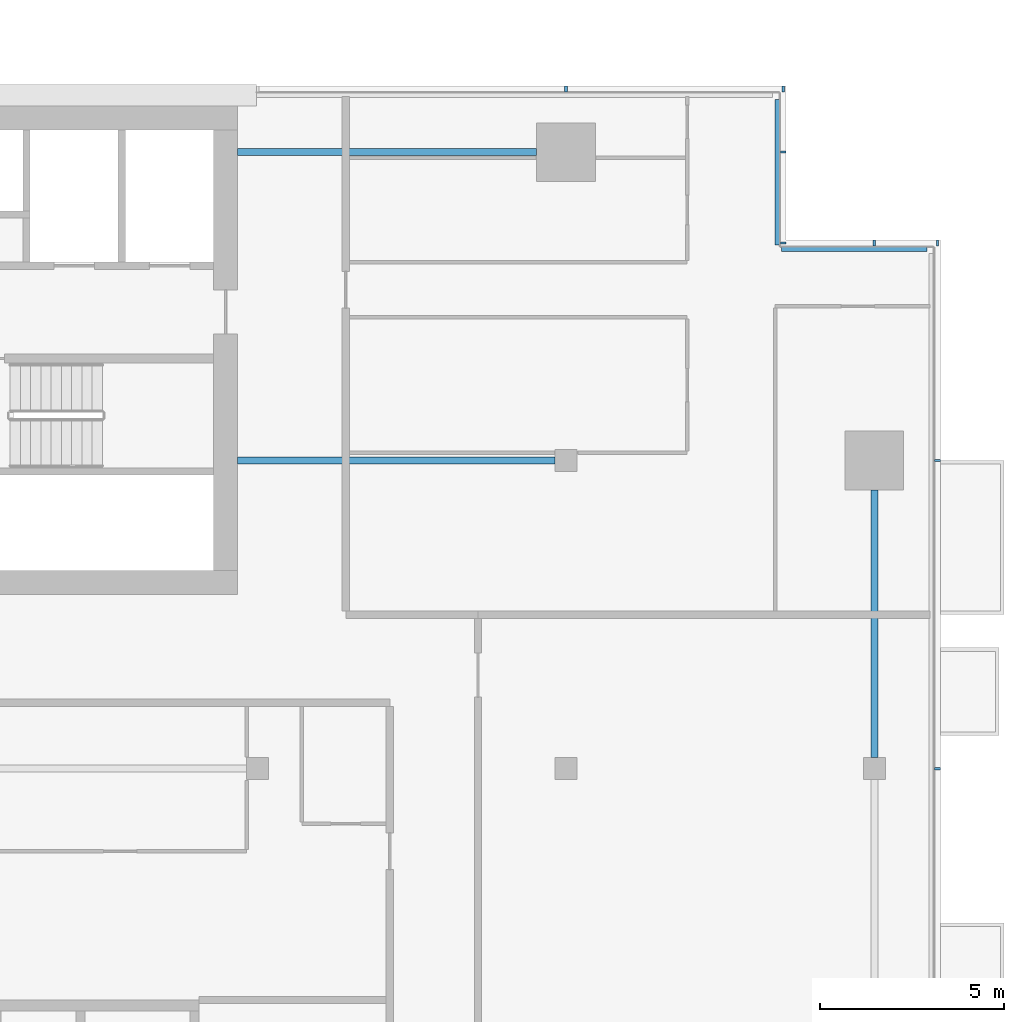
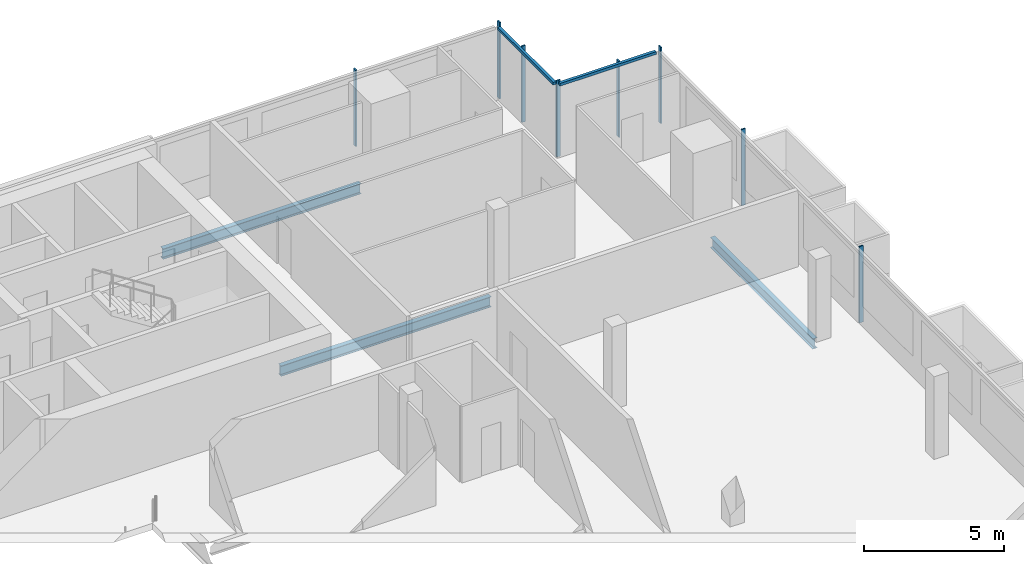
# One storey, part 13 of 27: 10 members, 3 beams, 4 elements without a shape of their own.
"""IFC4 building model written with IfcOpenShell, lengths in metres."""

import ifcopenshell
import ifcopenshell.guid

model = None  # the IFC model being written
_history = None  # IfcOwnerHistory: only IFC2X3 demands one
_inside = {}  # id of a spatial element -> (the spatial element, [elements in it])
_under = {}  # id of a project, library or spatial element -> (it, [spatial elements below it])
_declared = {}  # id of a project -> (the project, [libraries it declares])
_typed = {}  # id of a type object -> (the type object, [elements of that type])
_made_of = {}  # id of a material, layer set ... -> (it, [elements and type objects made of it])


def new_model(schema):
    """Start an empty IFC model of exactly this schema.

    Asked for "IFC4X3", IfcOpenShell would pick the latest addendum, in which some entities
    have other attributes; the version numbers below select the first issue.
    IFC2X3 requires an IfcOwnerHistory on every rooted entity: one is made here for all.
    """
    global model, _history
    if schema == "IFC4X3":
        model = ifcopenshell.file(schema_version=(4, 3, 0, 0))
    else:
        model = ifcopenshell.file(schema=schema)
    _inside.clear()
    _under.clear()
    _declared.clear()
    _typed.clear()
    _made_of.clear()
    _history = None
    if model.schema == "IFC2X3":
        org = make("IfcOrganization", Name="unknown")
        user = make(
            "IfcPersonAndOrganization",
            ThePerson=make("IfcPerson", FamilyName="unknown"),
            TheOrganization=org,
        )
        app = make(
            "IfcApplication",
            ApplicationDeveloper=org,
            Version="unknown",
            ApplicationFullName="unknown",
            ApplicationIdentifier="unknown",
        )
        _history = make(
            "IfcOwnerHistory",
            OwningUser=user,
            OwningApplication=app,
            ChangeAction="ADDED",
            CreationDate=0,
        )
    return model


def make(cls, **values):
    """One entity of the class cls with the attributes given. An attribute that is None is left unset."""
    return model.create_entity(
        cls, **{name: value for name, value in values.items() if value is not None}
    )


def rooted(cls, **values):
    """An entity with a GlobalId (a new one), such as an element, a storey or a relation."""
    return make(cls, GlobalId=ifcopenshell.guid.new(), OwnerHistory=_history, **values)


def si_unit(unit_type, name, prefix=None):
    """IfcSIUnit, for example si_unit("LENGTHUNIT", "METRE", prefix="MILLI")."""
    return make("IfcSIUnit", UnitType=unit_type, Prefix=prefix, Name=name)


def assignment(units):
    """IfcUnitAssignment: the units of a project."""
    return None if units is None else make("IfcUnitAssignment", Units=units)


def point(xyz):
    """IfcCartesianPoint."""
    return None if xyz is None else make("IfcCartesianPoint", Coordinates=xyz)


def direction(xyz):
    """IfcDirection."""
    return None if xyz is None else make("IfcDirection", DirectionRatios=xyz)


def frame(location, z_axis=None, x_axis=None):
    """IfcAxis2Placement3D, a coordinate frame: its origin and axes. An axis left out is left unset."""
    return make(
        "IfcAxis2Placement3D",
        Location=point(location),
        Axis=direction(z_axis),
        RefDirection=direction(x_axis),
    )


def frame_2d(location, x_axis=None):
    """IfcAxis2Placement2D, a coordinate frame in the plane: its origin and x axis."""
    return make(
        "IfcAxis2Placement2D", Location=point(location), RefDirection=direction(x_axis)
    )


def origin():
    """The frame at (0, 0, 0) with its axes left unset."""
    return frame((0.0, 0.0, 0.0))


def origin_2d():
    """The frame at (0, 0) in the plane with its x axis left unset."""
    return frame_2d((0.0, 0.0))


def place(relative_to, where):
    """IfcLocalPlacement: puts the frame where relative to a parent placement (None: the world)."""
    return make(
        "IfcLocalPlacement", PlacementRelTo=relative_to, RelativePlacement=where
    )


def context(
    kind, dimensions, precision=None, world=None, true_north=None, identifier=None
):
    """IfcGeometricRepresentationContext, for example the 3D "Model" context."""
    return make(
        "IfcGeometricRepresentationContext",
        ContextIdentifier=identifier,
        ContextType=kind,
        CoordinateSpaceDimension=dimensions,
        Precision=precision,
        WorldCoordinateSystem=world,
        TrueNorth=true_north,
    )


def subcontext(parent, identifier, kind, view, scale=None):
    """IfcGeometricRepresentationSubContext, for example "Body" below "Model"."""
    return make(
        "IfcGeometricRepresentationSubContext",
        ContextIdentifier=identifier,
        ContextType=kind,
        ParentContext=parent,
        TargetScale=scale,
        TargetView=view,
    )


def project(units=None, contexts=None):
    """IfcProject with its units and contexts."""
    return rooted(
        "IfcProject",
        Name="project",
        RepresentationContexts=contexts,
        UnitsInContext=assignment(units),
    )


def spatial(cls, under=None, at=None, **own):
    """A site, building, storey or space (cls), placed at a placement, below another one or the project."""
    s = rooted(cls, ObjectPlacement=at, **own)
    if under is not None:
        _under.setdefault(under.id(), (under, []))[1].append(s)
    return s


def profile(cls, at=None, kind="AREA", **sizes):
    """A parametric profile (cls). Its sizes go by their IFC names, for example OverallWidth=200.0."""
    return make(cls, ProfileType=kind, Position=at, **sizes)


def rectangle(**sizes):
    """IfcRectangleProfileDef."""
    return profile("IfcRectangleProfileDef", **sizes)


def i_section(**sizes):
    """IfcIShapeProfileDef."""
    return profile("IfcIShapeProfileDef", **sizes)


def extrude(swept, where, along, depth):
    """IfcExtrudedAreaSolid: the profile swept, set in the frame where, extruded along a direction by depth."""
    return make(
        "IfcExtrudedAreaSolid",
        SweptArea=swept,
        Position=where,
        ExtrudedDirection=direction(along),
        Depth=depth,
    )


def shape(context_of_items, identifier, shape_type, items):
    """IfcShapeRepresentation: the items that make up one representation, for example the "Body"."""
    return make(
        "IfcShapeRepresentation",
        ContextOfItems=context_of_items,
        RepresentationIdentifier=identifier,
        RepresentationType=shape_type,
        Items=items,
    )


def material(Name=None, Category=None):
    """IfcMaterial."""
    return make("IfcMaterial", Name=Name, Category=Category)


def material_profile(
    of_material, cross_section, Name=None, Category=None, Priority=None
):
    """IfcMaterialProfile: a cross section and its material."""
    return make(
        "IfcMaterialProfile",
        Name=Name,
        Material=of_material,
        Profile=cross_section,
        Priority=Priority,
        Category=Category,
    )


def profile_set(profiles, Name=None, composite=None):
    """IfcMaterialProfileSet."""
    return make(
        "IfcMaterialProfileSet",
        Name=Name,
        MaterialProfiles=profiles,
        CompositeProfile=composite,
    )


def made_of(thing, what):
    """Note that an element or type object is made of a material, layer set ...; save() writes the relation."""
    if what is not None:
        _made_of.setdefault(what.id(), (what, []))[1].append(thing)
    return thing


def type_object(cls, material=None, **own):
    """A type object (cls), such as IfcWallType, which elements share."""
    return made_of(rooted(cls, **own), material)


def element(
    cls,
    number,
    at=None,
    inside=None,
    cuts=None,
    type_object=None,
    material=None,
    context=None,
    identifier="Body",
    shape_type=None,
    held_by="IfcProductDefinitionShape",
    body=None,
    shapes=None,
    **own,
):
    """One element of the class cls, such as IfcWall. Its Tag is "e" and its number.

    at: its placement. inside: the storey or other place that contains it. cuts: it is an
    opening in that element (IfcRelVoidsElement). A single representation is given by context,
    identifier, shape_type and body (its items); several are given by shapes. held_by: the class
    of the entity that holds the representations. save() writes the other relations.
    """
    e = rooted(cls, Tag="e%d" % number, ObjectPlacement=at, **own)
    if body is not None:
        shapes = [shape(context, identifier, shape_type, body)]
    if shapes is not None:
        e.Representation = make(held_by, Representations=shapes)
    if inside is not None:
        _inside.setdefault(inside.id(), (inside, []))[1].append(e)
    if cuts is not None:
        rooted(
            "IfcRelVoidsElement", RelatingBuildingElement=cuts, RelatedOpeningElement=e
        )
    if type_object is not None:
        _typed.setdefault(type_object.id(), (type_object, []))[1].append(e)
    return made_of(e, material)


def aggregate(whole, parts):
    """IfcRelAggregates: a whole, such as a stair, and the parts it consists of."""
    return rooted("IfcRelAggregates", RelatingObject=whole, RelatedObjects=parts)


def save(model, path):
    """Write the relations noted so far, then the file.

    IfcRelAggregates (storeys below a building ...), IfcRelContainedInSpatialStructure (elements
    in a storey), IfcRelDefinesByType, IfcRelAssociatesMaterial and IfcRelDeclares: one each for
    every whole, place, type object, material and project.
    """
    for whole, parts in _under.values():
        aggregate(whole, parts)
    for where, things in _inside.values():
        rooted(
            "IfcRelContainedInSpatialStructure",
            RelatedElements=things,
            RelatingStructure=where,
        )
    for kind, things in _typed.values():
        rooted("IfcRelDefinesByType", RelatedObjects=things, RelatingType=kind)
    for what, things in _made_of.values():
        rooted("IfcRelAssociatesMaterial", RelatedObjects=things, RelatingMaterial=what)
    for by, libraries in _declared.values():
        rooted("IfcRelDeclares", RelatingContext=by, RelatedDefinitions=libraries)
    model.write(path)


model = new_model("IFC4")

# Units and contexts
model_context = context("Model", 3, precision=1e-05, world=origin(), true_north=direction((0.0, 1.0)))
body_context = subcontext(model_context, "Body", "Model", "MODEL_VIEW")
ifc_project = project(units=[si_unit("LENGTHUNIT", "METRE"), si_unit("AREAUNIT", "SQUARE_METRE"), si_unit("VOLUMEUNIT", "CUBIC_METRE"), si_unit("PLANEANGLEUNIT", "RADIAN"), si_unit("MASSUNIT", "GRAM", prefix="KILO")], contexts=[model_context])

# Site, building, storey
site_placement = place(None, origin())
site = spatial("IfcSite", under=ifc_project, at=site_placement, CompositionType="ELEMENT")
building_placement = place(site_placement, origin())
building = spatial("IfcBuilding", under=site, at=building_placement, Name="Saffron Gate Tower", CompositionType="ELEMENT")
storey_placement = place(building_placement, frame((0.0, 0.0, 209.10009765625)))
storey = spatial("IfcBuildingStorey", under=building, at=storey_placement, Name="L50", CompositionType="ELEMENT", Elevation=209.10009765625)

# Beams
ifc_material_1 = material(Name="Structural steel S355", Category="steel")
ifc_material_profile_1 = material_profile(ifc_material_1, i_section(OverallWidth=0.18994140625, OverallDepth=0.449951171875, WebThickness=0.009521484375, FlangeThickness=0.0146484375, FilletRadius=0.02099609375, at=origin_2d()))
ifc_profile_set_1 = profile_set([ifc_material_profile_1], Name="Structural steel S355")
beam_type_1 = type_object("IfcBeamType", Name="B6 IPE 450", PredefinedType="BEAM", material=ifc_profile_set_1)
beam_1_placement = place(storey_placement, frame((116.699951171875, 65.39990234375, -0.505126953125), z_axis=(-1.0, 0.0, 0.0), x_axis=(0.0, -1.0, 0.0)))
element("IfcBeam", 1, at=beam_1_placement, inside=storey, type_object=beam_type_1, Name="B6 CORE TIE BEAM", PredefinedType="BEAM", context=body_context, shape_type="SweptSolid", body=[
    extrude(i_section(OverallWidth=0.18994140625, OverallDepth=0.449951171875, WebThickness=0.009521484375, FlangeThickness=0.0146484375, FilletRadius=0.02099609375, at=origin_2d()), origin(), (0.0, 0.0, 1.0), 8.64990234375),
])
beam_2_placement = place(storey_placement, frame((116.199951171875, 73.800048828125, -0.505126953125), z_axis=(-1.0, 0.0, 0.0), x_axis=(0.0, -1.0, 0.0)))
element("IfcBeam", 2, at=beam_2_placement, inside=storey, type_object=beam_type_1, Name="B6 CORE TIE BEAM", PredefinedType="BEAM", context=body_context, shape_type="SweptSolid", body=[
    extrude(i_section(OverallWidth=0.18994140625, OverallDepth=0.449951171875, WebThickness=0.009521484375, FlangeThickness=0.0146484375, FilletRadius=0.02099609375, at=origin_2d()), origin(), (0.0, 0.0, 1.0), 8.14990234375),
])
ifc_material_profile_2 = material_profile(ifc_material_1, i_section(OverallWidth=0.18994140625, OverallDepth=0.449951171875, WebThickness=0.009521484375, FlangeThickness=0.0146484375, FilletRadius=0.02099609375, at=origin_2d()))
ifc_profile_set_2 = profile_set([ifc_material_profile_2], Name="Structural steel S355")
beam_type_2 = type_object("IfcBeamType", Name="B7 IPE 450", PredefinedType="SPANDREL", material=ifc_profile_set_2)
beam_3_placement = place(storey_placement, frame((125.39990234375, 57.300048828125, -0.505126953125), z_axis=(0.0, 1.0, 0.0), x_axis=(-1.0, 0.0, 0.0)))
element("IfcBeam", 3, at=beam_3_placement, inside=storey, type_object=beam_type_2, Name="B7 SPANDREL BEAM", PredefinedType="SPANDREL", context=body_context, shape_type="SweptSolid", body=[
    extrude(i_section(OverallWidth=0.18994140625, OverallDepth=0.449951171875, WebThickness=0.009521484375, FlangeThickness=0.0146484375, FilletRadius=0.02099609375, at=origin_2d()), origin(), (0.0, 0.0, 1.0), 7.300048828125),
])

# Curtain wall, members
ifc_material_2 = material(Name="Aluminium, bronze anodised", Category="aluminium")
curtain_wall_type_1 = type_object("IfcCurtainWallType", Name="CWS2 curtain wall side facades", PredefinedType="NOTDEFINED", material=ifc_material_2)
curtain_wall_1_placement = place(storey_placement, origin())
curtain_wall_1 = element("IfcCurtainWall", 4, at=curtain_wall_1_placement, inside=storey, type_object=curtain_wall_type_1, Name="CWS2 run 4", PredefinedType="NOTDEFINED")
ifc_material_profile_3 = material_profile(ifc_material_2, rectangle(XDim=0.159912109375, YDim=0.06005859375, at=origin_2d()))
ifc_profile_set_3 = profile_set([ifc_material_profile_3], Name="Aluminium, bronze anodised")
member_type_1 = type_object("IfcMemberType", Name="CWS2 mullion 60x160", PredefinedType="MULLION", material=ifc_profile_set_3)
member_1_placement = place(storey_placement, frame((127.1201171875, 57.0, 0.0), z_axis=(0.0, 0.0, 1.0), x_axis=(-1.0, 0.0, 0.0)))
member_1 = element("IfcMember", 5, at=member_1_placement, type_object=member_type_1, Name="CWS2 mullion 4", PredefinedType="MULLION", context=body_context, shape_type="SweptSolid", body=[
    extrude(rectangle(XDim=0.159912109375, YDim=0.06005859375, at=origin_2d()), origin(), (0.0, 0.0, 1.0), 3.31982421875),
])
member_2_placement = place(storey_placement, frame((127.1201171875, 65.39990234375, 0.0), z_axis=(0.0, 0.0, 1.0), x_axis=(-1.0, 0.0, 0.0)))
member_2 = element("IfcMember", 6, at=member_2_placement, type_object=member_type_1, Name="CWS2 mullion 5", PredefinedType="MULLION", context=body_context, shape_type="SweptSolid", body=[
    extrude(rectangle(XDim=0.159912109375, YDim=0.06005859375, at=origin_2d()), origin(), (0.0, 0.0, 1.0), 3.31982421875),
])
aggregate(curtain_wall_1, [member_1, member_2])

curtain_wall_type_2 = type_object("IfcCurtainWallType", Name="CWS3 curtain wall rear facade", PredefinedType="NOTDEFINED", material=ifc_material_2)
curtain_wall_2_placement = place(storey_placement, origin())
curtain_wall_2 = element("IfcCurtainWall", 7, at=curtain_wall_2_placement, inside=storey, type_object=curtain_wall_type_2, Name="CWS3 run 7", PredefinedType="NOTDEFINED")
ifc_material_profile_4 = material_profile(ifc_material_2, rectangle(XDim=0.159912109375, YDim=0.070068359375, at=origin_2d()))
ifc_profile_set_4 = profile_set([ifc_material_profile_4], Name="Aluminium, bronze anodised")
member_type_2 = type_object("IfcMemberType", Name="CWS3 mullion 70x160", PredefinedType="MULLION", material=ifc_profile_set_4)
member_3_placement = place(storey_placement, frame((122.919921875, 75.52001953125, 0.0), z_axis=(0.0, 0.0, 1.0), x_axis=(0.0, -1.0, 0.0)))
member_3 = element("IfcMember", 8, at=member_3_placement, type_object=member_type_2, Name="CWS3 mullion 1", PredefinedType="MULLION", context=body_context, shape_type="SweptSolid", body=[
    extrude(rectangle(XDim=0.159912109375, YDim=0.070068359375, at=origin_2d()), origin(), (0.0, 0.0, 1.0), 3.31982421875),
])
member_4_placement = place(storey_placement, frame((117.0, 75.52001953125, 0.0), z_axis=(0.0, 0.0, 1.0), x_axis=(0.0, -1.0, 0.0)))
member_4 = element("IfcMember", 9, at=member_4_placement, type_object=member_type_2, Name="CWS3 mullion 2", PredefinedType="MULLION", context=body_context, shape_type="SweptSolid", body=[
    extrude(rectangle(XDim=0.159912109375, YDim=0.070068359375, at=origin_2d()), origin(), (0.0, 0.0, 1.0), 3.31982421875),
])
aggregate(curtain_wall_2, [member_3, member_4])

# Curtain wall, member
curtain_wall_type_3 = type_object("IfcCurtainWallType", Name="CWS4 curtain wall corner returns", PredefinedType="NOTDEFINED", material=ifc_material_2)
curtain_wall_3_placement = place(storey_placement, origin())
curtain_wall_3 = element("IfcCurtainWall", 10, at=curtain_wall_3_placement, inside=storey, type_object=curtain_wall_type_3, Name="CWS4 run 5", PredefinedType="NOTDEFINED")
ifc_material_profile_5 = material_profile(ifc_material_2, rectangle(XDim=0.1201171875, YDim=0.1201171875, at=origin_2d()))
ifc_profile_set_5 = profile_set([ifc_material_profile_5], Name="Aluminium, bronze anodised")
member_type_3 = type_object("IfcMemberType", Name="CWS4 head transom", PredefinedType="USERDEFINED", material=ifc_profile_set_5)
member_5_placement = place(storey_placement, frame((126.83203125, 71.152099609375, 3.260009765625), z_axis=(-1.0, 0.0, 0.0), x_axis=(0.0, -1.0, 0.0)))
member_5 = element("IfcMember", 11, at=member_5_placement, type_object=member_type_3, Name="CWS4 head transom", ObjectType="TRANSOM", PredefinedType="USERDEFINED", context=body_context, shape_type="SweptSolid", body=[
    extrude(rectangle(XDim=0.1201171875, YDim=0.1201171875, at=origin_2d()), origin(), (0.0, 0.0, 1.0), 3.9599609375),
])

curtain_wall_4_placement = place(storey_placement, origin())
curtain_wall_4 = element("IfcCurtainWall", 12, at=curtain_wall_4_placement, inside=storey, type_object=curtain_wall_type_3, Name="CWS4 run 6", PredefinedType="NOTDEFINED")
member_6_placement = place(storey_placement, frame((122.751953125, 71.27197265625, 3.260009765625), z_axis=(0.0, 1.0, 0.0), x_axis=(-1.0, 0.0, 0.0)))
member_6 = element("IfcMember", 13, at=member_6_placement, type_object=member_type_3, Name="CWS4 head transom", ObjectType="TRANSOM", PredefinedType="USERDEFINED", context=body_context, shape_type="SweptSolid", body=[
    extrude(rectangle(XDim=0.1201171875, YDim=0.1201171875, at=origin_2d()), origin(), (0.0, 0.0, 1.0), 3.9599609375),
])

# Member
ifc_material_profile_6 = material_profile(ifc_material_2, rectangle(XDim=0.159912109375, YDim=0.06005859375, at=origin_2d()))
ifc_profile_set_6 = profile_set([ifc_material_profile_6], Name="Aluminium, bronze anodised")
member_type_4 = type_object("IfcMemberType", Name="CWS4 mullion 60x160", PredefinedType="MULLION", material=ifc_profile_set_6)
member_7_placement = place(storey_placement, frame((127.1201171875, 71.320068359375, 0.0), z_axis=(0.0, 0.0, 1.0), x_axis=(0.0, -1.0, 0.0)))
member_7 = element("IfcMember", 14, at=member_7_placement, type_object=member_type_4, Name="CWS4 mullion 1", PredefinedType="MULLION", context=body_context, shape_type="SweptSolid", body=[
    extrude(rectangle(XDim=0.159912109375, YDim=0.06005859375, at=origin_2d()), origin(), (0.0, 0.0, 1.0), 3.31982421875),
])

member_8_placement = place(storey_placement, frame((125.39990234375, 71.320068359375, 0.0), z_axis=(0.0, 0.0, 1.0), x_axis=(0.0, -1.0, 0.0)))
member_8 = element("IfcMember", 15, at=member_8_placement, type_object=member_type_4, Name="CWS4 mullion 2", PredefinedType="MULLION", context=body_context, shape_type="SweptSolid", body=[
    extrude(rectangle(XDim=0.159912109375, YDim=0.06005859375, at=origin_2d()), origin(), (0.0, 0.0, 1.0), 3.31982421875),
])

aggregate(curtain_wall_3, [member_7, member_8, member_5])

member_9_placement = place(storey_placement, frame((122.919921875, 71.320068359375, 0.0), z_axis=(0.0, 0.0, 1.0), x_axis=(-1.0, 0.0, 0.0)))
member_9 = element("IfcMember", 16, at=member_9_placement, type_object=member_type_4, Name="CWS4 mullion 1", PredefinedType="MULLION", context=body_context, shape_type="SweptSolid", body=[
    extrude(rectangle(XDim=0.159912109375, YDim=0.06005859375, at=origin_2d()), origin(), (0.0, 0.0, 1.0), 3.31982421875),
])

member_10_placement = place(storey_placement, frame((122.919921875, 73.800048828125, 0.0), z_axis=(0.0, 0.0, 1.0), x_axis=(-1.0, 0.0, 0.0)))
member_10 = element("IfcMember", 17, at=member_10_placement, type_object=member_type_4, Name="CWS4 mullion 2", PredefinedType="MULLION", context=body_context, shape_type="SweptSolid", body=[
    extrude(rectangle(XDim=0.159912109375, YDim=0.06005859375, at=origin_2d()), origin(), (0.0, 0.0, 1.0), 3.31982421875),
])

aggregate(curtain_wall_4, [member_9, member_10, member_6])

save(model, "model.ifc")
